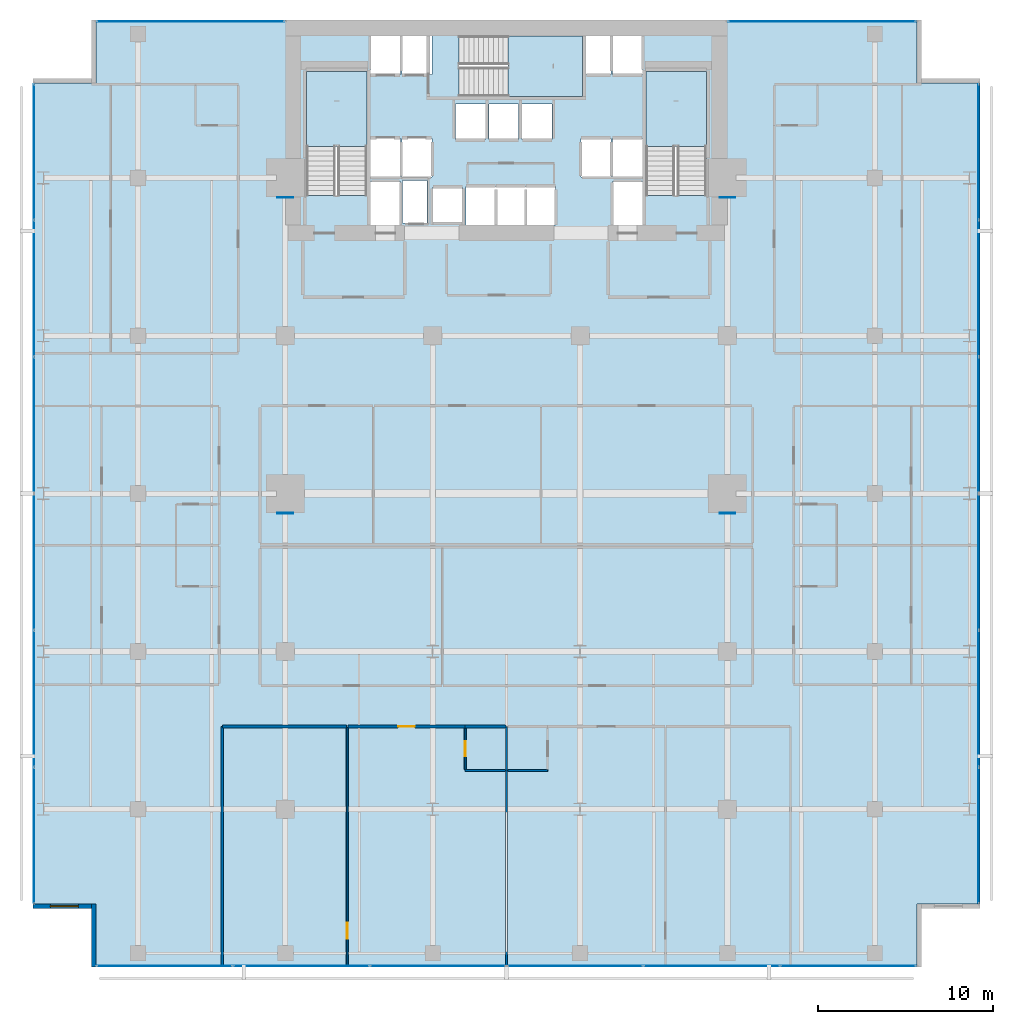
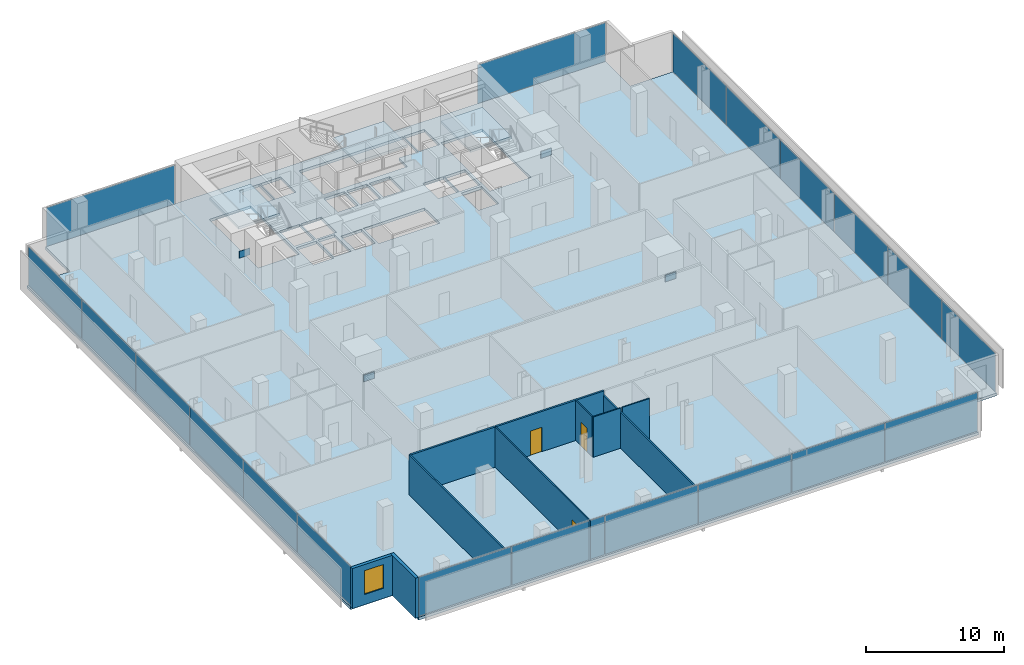
# One storey, part 32 of 39: 24 plates, 11 walls, 4 slabs, 3 doors, 1 window, 4 openings, 8 elements without a shape of their own.
"""IFC4 building model written with IfcOpenShell, lengths in metres."""

from ifc_helpers import new_model, si_unit, direction, frame, frame_2d, origin, origin_2d, place, context, subcontext, project, spatial, polyline, rectangle, outline, extrude, material, layer, layer_set, type_object, element, fill, aggregate, save


model = new_model("IFC4")

# Units and contexts
model_context = context("Model", 3, precision=1e-05, world=origin(), true_north=direction((0.0, 1.0)))
body_context = subcontext(model_context, "Body", "Model", "MODEL_VIEW")
ifc_project = project(units=[si_unit("LENGTHUNIT", "METRE"), si_unit("AREAUNIT", "SQUARE_METRE"), si_unit("VOLUMEUNIT", "CUBIC_METRE"), si_unit("PLANEANGLEUNIT", "RADIAN"), si_unit("MASSUNIT", "GRAM", prefix="KILO")], contexts=[model_context])

# Site, building, storey
site_placement = place(None, origin())
site = spatial("IfcSite", under=ifc_project, at=site_placement, CompositionType="ELEMENT")
building_placement = place(site_placement, origin())
building = spatial("IfcBuilding", under=site, at=building_placement, Name="Maruvema Waterfront Hotel and Observation Tower", CompositionType="ELEMENT")
storey_placement = place(building_placement, frame((0.0, 0.0, 111.64990234375)))
storey = spatial("IfcBuildingStorey", under=building, at=storey_placement, Name="L27", CompositionType="ELEMENT", Elevation=111.64990234375)

# Slab
ifc_material_1 = material(Name="Concrete C50/60", Category="concrete")
ifc_layer_1 = layer(ifc_material_1, 0.239990234375, Name="Reinforced Concrete Floor Slab 240 mm")
ifc_layer_set_1 = layer_set([ifc_layer_1], Name="Concrete C50/60")
slab_type_1 = type_object("IfcSlabType", Name="Reinforced Concrete Floor Slab 240 mm", PredefinedType="FLOOR", material=ifc_layer_set_1)
slab_1_placement = place(storey_placement, frame((0.0, 0.0, -0.239990234375)))
element("IfcSlab", 1, at=slab_1_placement, inside=storey, type_object=slab_type_1, Name="L27 Structural Floor Slab", PredefinedType="FLOOR", context=body_context, shape_type="SweptSolid", body=[
    extrude(outline(polyline([(14.39990234375, 0.0), (61.199951171875, 0.0), (61.199951171875, 3.60009765625), (64.800048828125, 3.60009765625), (64.800048828125, 50.39990234375), (61.199951171875, 50.39990234375), (61.199951171875, 54.0), (14.39990234375, 54.0), (14.39990234375, 50.39990234375), (10.800048828125, 50.39990234375), (10.800048828125, 3.60009765625), (14.39990234375, 3.60009765625), (14.39990234375, 0.0)]), holes=[polyline([(26.39990234375, 44.00048828125), (26.39990234375, 51.050048828125), (29.85009765625, 51.050048828125), (29.85009765625, 44.00048828125), (26.39990234375, 44.00048828125)]), polyline([(30.050048828125, 44.800048828125), (31.75, 44.800048828125), (31.75, 42.320068359375), (30.050048828125, 42.320068359375), (30.050048828125, 44.800048828125)]), polyline([(31.75, 47.25), (31.75, 45.050048828125), (30.050048828125, 45.050048828125), (30.050048828125, 47.25), (31.75, 47.25)]), polyline([(31.75, 53.10009765625), (31.75, 50.89990234375), (30.050048828125, 50.89990234375), (30.050048828125, 53.10009765625), (31.75, 53.10009765625)]), polyline([(33.280029296875, 44.860107421875), (33.280029296875, 42.43994140625), (31.8798828125, 42.43994140625), (31.8798828125, 44.860107421875), (33.280029296875, 44.860107421875)]), polyline([(31.85009765625, 47.25), (33.550048828125, 47.25), (33.550048828125, 45.050048828125), (31.85009765625, 45.050048828125), (31.85009765625, 47.25)]), polyline([(31.85009765625, 53.10009765625), (33.550048828125, 53.10009765625), (33.550048828125, 50.89990234375), (31.85009765625, 50.89990234375), (31.85009765625, 53.10009765625)]), polyline([(33.60009765625, 44.449951171875), (35.300048828125, 44.449951171875), (35.300048828125, 42.449951171875), (33.60009765625, 42.449951171875), (33.60009765625, 44.449951171875)]), polyline([(34.89990234375, 49.199951171875), (36.60009765625, 49.199951171875), (36.60009765625, 47.199951171875), (34.89990234375, 47.199951171875), (34.89990234375, 49.199951171875)]), polyline([(38.5, 49.199951171875), (38.5, 47.199951171875), (36.800048828125, 47.199951171875), (36.800048828125, 49.199951171875), (38.5, 49.199951171875)]), polyline([(35.5, 44.5), (40.60009765625, 44.5), (40.60009765625, 42.300048828125), (35.5, 42.300048828125), (35.5, 44.5)]), polyline([(43.75, 50.89990234375), (42.14990234375, 50.89990234375), (42.14990234375, 49.64990234375), (35.1005859375, 49.64990234375), (35.1005859375, 53.10009765625), (43.75, 53.10009765625), (43.75, 50.89990234375)]), polyline([(40.39990234375, 49.199951171875), (40.39990234375, 47.199951171875), (38.699951171875, 47.199951171875), (38.699951171875, 49.199951171875), (40.39990234375, 49.199951171875)]), polyline([(43.75, 47.25), (43.75, 45.050048828125), (42.050048828125, 45.050048828125), (42.050048828125, 47.25), (43.75, 47.25)]), polyline([(45.550048828125, 44.800048828125), (45.550048828125, 42.320068359375), (43.85009765625, 42.320068359375), (43.85009765625, 44.800048828125), (45.550048828125, 44.800048828125)]), polyline([(43.85009765625, 47.25), (45.550048828125, 47.25), (45.550048828125, 45.050048828125), (43.85009765625, 45.050048828125), (43.85009765625, 47.25)]), polyline([(45.550048828125, 53.10009765625), (45.550048828125, 50.89990234375), (43.85009765625, 50.89990234375), (43.85009765625, 53.10009765625), (45.550048828125, 53.10009765625)]), polyline([(45.75, 51.050048828125), (49.199951171875, 51.050048828125), (49.199951171875, 44.00048828125), (45.75, 44.00048828125), (45.75, 51.050048828125)])]), origin(), (0.0, 0.0, 1.0), 0.239990234375),
])

# Curtain wall, plates
ifc_material_2 = material(Name="Anodised bronze aluminium and solar-control low-E IGU", Category="aluminium")
ifc_layer_2 = layer(ifc_material_2, 0.159912109375, Name="Zone 1 Bronze Inner Thermal Curtain Wall System CW-02")
ifc_layer_set_2 = layer_set([ifc_layer_2], Name="Anodised bronze aluminium and solar-control low-E IGU")
curtain_wall_type = type_object("IfcCurtainWallType", Name="Zone 1 Bronze Inner Thermal Curtain Wall System CW-02", PredefinedType="USERDEFINED", material=ifc_layer_set_2)
curtain_wall_1_placement = place(storey_placement, origin())
curtain_wall_1 = element("IfcCurtainWall", 2, at=curtain_wall_1_placement, inside=storey, type_object=curtain_wall_type, Name="L27 Curtain Wall CW-L27-S", ObjectType="UNITISED CURTAIN WALL", PredefinedType="USERDEFINED")
ifc_material_3 = material(Name="Laminated low-E solar-control double glazing", Category="glass")
ifc_layer_3 = layer(ifc_material_3, 0.035888671875, Name="Solar Control Double-Glazed Curtain Panel 36 mm")
ifc_layer_set_3 = layer_set([ifc_layer_3], Name="Laminated low-E solar-control double glazing")
plate_type_1 = type_object("IfcPlateType", Name="Solar Control Double-Glazed Curtain Panel 36 mm", PredefinedType="CURTAIN_PANEL", material=ifc_layer_set_3)
plate_1_placement = place(storey_placement, frame((18.31494140625, 0.080078125, 0.06005859375), z_axis=(0.0, 0.0, 1.0), x_axis=(1.0, 0.0, 0.0)))
plate_1 = element("IfcPlate", 3, at=plate_1_placement, type_object=plate_type_1, Name="CW-02 panel 1.1", PredefinedType="CURTAIN_PANEL", context=body_context, shape_type="SweptSolid", body=[
    extrude(rectangle(XDim=7.7099609375, YDim=0.028076171875, at=origin_2d()), origin(), (0.0, 0.0, 1.0), 3.429931640625),
])
plate_2_placement = place(storey_placement, frame((26.10009765625, 0.080078125, 0.06005859375), z_axis=(0.0, 0.0, 1.0), x_axis=(1.0, 0.0, 0.0)))
plate_2 = element("IfcPlate", 4, at=plate_2_placement, type_object=plate_type_1, Name="CW-02 panel 2.1", PredefinedType="CURTAIN_PANEL", context=body_context, shape_type="SweptSolid", body=[
    extrude(rectangle(XDim=7.739990234375, YDim=0.028076171875, at=origin_2d()), origin(), (0.0, 0.0, 1.0), 3.429931640625),
])
plate_3_placement = place(storey_placement, frame((33.89990234375, 0.080078125, 0.06005859375), z_axis=(0.0, 0.0, 1.0), x_axis=(1.0, 0.0, 0.0)))
plate_3 = element("IfcPlate", 5, at=plate_3_placement, type_object=plate_type_1, Name="CW-02 panel 3.1", PredefinedType="CURTAIN_PANEL", context=body_context, shape_type="SweptSolid", body=[
    extrude(rectangle(XDim=7.739990234375, YDim=0.028076171875, at=origin_2d()), origin(), (0.0, 0.0, 1.0), 3.429931640625),
])
plate_4_placement = place(storey_placement, frame((41.699951171875, 0.080078125, 0.06005859375), z_axis=(0.0, 0.0, 1.0), x_axis=(1.0, 0.0, 0.0)))
plate_4 = element("IfcPlate", 6, at=plate_4_placement, type_object=plate_type_1, Name="CW-02 panel 4.1", PredefinedType="CURTAIN_PANEL", context=body_context, shape_type="SweptSolid", body=[
    extrude(rectangle(XDim=7.739990234375, YDim=0.028076171875, at=origin_2d()), origin(), (0.0, 0.0, 1.0), 3.429931640625),
])
plate_5_placement = place(storey_placement, frame((49.5, 0.080078125, 0.06005859375), z_axis=(0.0, 0.0, 1.0), x_axis=(1.0, 0.0, 0.0)))
plate_5 = element("IfcPlate", 7, at=plate_5_placement, type_object=plate_type_1, Name="CW-02 panel 5.1", PredefinedType="CURTAIN_PANEL", context=body_context, shape_type="SweptSolid", body=[
    extrude(rectangle(XDim=7.739990234375, YDim=0.028076171875, at=origin_2d()), origin(), (0.0, 0.0, 1.0), 3.429931640625),
])
plate_6_placement = place(storey_placement, frame((57.284912109375, 0.080078125, 0.06005859375), z_axis=(0.0, 0.0, 1.0), x_axis=(1.0, 0.0, 0.0)))
plate_6 = element("IfcPlate", 8, at=plate_6_placement, type_object=plate_type_1, Name="CW-02 panel 6.1", PredefinedType="CURTAIN_PANEL", context=body_context, shape_type="SweptSolid", body=[
    extrude(rectangle(XDim=7.7099609375, YDim=0.028076171875, at=origin_2d()), origin(), (0.0, 0.0, 1.0), 3.429931640625),
])
aggregate(curtain_wall_1, [plate_1, plate_2, plate_3, plate_4, plate_5, plate_6])

curtain_wall_2_placement = place(storey_placement, origin())
curtain_wall_2 = element("IfcCurtainWall", 9, at=curtain_wall_2_placement, inside=storey, type_object=curtain_wall_type, Name="L27 Curtain Wall CW-L27-E", ObjectType="UNITISED CURTAIN WALL", PredefinedType="USERDEFINED")
plate_7_placement = place(storey_placement, frame((64.719970703125, 7.514892578125, 0.06005859375), z_axis=(0.0, 0.0, 1.0), x_axis=(0.0, 1.0, 0.0)))
plate_7 = element("IfcPlate", 10, at=plate_7_placement, type_object=plate_type_1, Name="CW-02 panel 1.1", PredefinedType="CURTAIN_PANEL", context=body_context, shape_type="SweptSolid", body=[
    extrude(rectangle(XDim=7.7099609375, YDim=0.028076171875, at=origin_2d()), origin(), (0.0, 0.0, 1.0), 3.429931640625),
])
plate_8_placement = place(storey_placement, frame((64.719970703125, 15.300048828125, 0.06005859375), z_axis=(0.0, 0.0, 1.0), x_axis=(0.0, 1.0, 0.0)))
plate_8 = element("IfcPlate", 11, at=plate_8_placement, type_object=plate_type_1, Name="CW-02 panel 2.1", PredefinedType="CURTAIN_PANEL", context=body_context, shape_type="SweptSolid", body=[
    extrude(rectangle(XDim=7.739990234375, YDim=0.028076171875, at=origin_2d()), origin(), (0.0, 0.0, 1.0), 3.429931640625),
])
plate_9_placement = place(storey_placement, frame((64.719970703125, 23.10009765625, 0.06005859375), z_axis=(0.0, 0.0, 1.0), x_axis=(0.0, 1.0, 0.0)))
plate_9 = element("IfcPlate", 12, at=plate_9_placement, type_object=plate_type_1, Name="CW-02 panel 3.1", PredefinedType="CURTAIN_PANEL", context=body_context, shape_type="SweptSolid", body=[
    extrude(rectangle(XDim=7.739990234375, YDim=0.028076171875, at=origin_2d()), origin(), (0.0, 0.0, 1.0), 3.429931640625),
])
plate_10_placement = place(storey_placement, frame((64.719970703125, 30.89990234375, 0.06005859375), z_axis=(0.0, 0.0, 1.0), x_axis=(0.0, 1.0, 0.0)))
plate_10 = element("IfcPlate", 13, at=plate_10_placement, type_object=plate_type_1, Name="CW-02 panel 4.1", PredefinedType="CURTAIN_PANEL", context=body_context, shape_type="SweptSolid", body=[
    extrude(rectangle(XDim=7.739990234375, YDim=0.028076171875, at=origin_2d()), origin(), (0.0, 0.0, 1.0), 3.429931640625),
])
plate_11_placement = place(storey_placement, frame((64.719970703125, 38.699951171875, 0.06005859375), z_axis=(0.0, 0.0, 1.0), x_axis=(0.0, 1.0, 0.0)))
plate_11 = element("IfcPlate", 14, at=plate_11_placement, type_object=plate_type_1, Name="CW-02 panel 5.1", PredefinedType="CURTAIN_PANEL", context=body_context, shape_type="SweptSolid", body=[
    extrude(rectangle(XDim=7.739990234375, YDim=0.028076171875, at=origin_2d()), origin(), (0.0, 0.0, 1.0), 3.429931640625),
])
plate_12_placement = place(storey_placement, frame((64.719970703125, 46.485107421875, 0.06005859375), z_axis=(0.0, 0.0, 1.0), x_axis=(0.0, 1.0, 0.0)))
plate_12 = element("IfcPlate", 15, at=plate_12_placement, type_object=plate_type_1, Name="CW-02 panel 6.1", PredefinedType="CURTAIN_PANEL", context=body_context, shape_type="SweptSolid", body=[
    extrude(rectangle(XDim=7.7099609375, YDim=0.028076171875, at=origin_2d()), origin(), (0.0, 0.0, 1.0), 3.429931640625),
])
aggregate(curtain_wall_2, [plate_7, plate_8, plate_9, plate_10, plate_11, plate_12])

curtain_wall_3_placement = place(storey_placement, origin())
curtain_wall_3 = element("IfcCurtainWall", 16, at=curtain_wall_3_placement, inside=storey, type_object=curtain_wall_type, Name="L27 Curtain Wall CW-L27-W", ObjectType="UNITISED CURTAIN WALL", PredefinedType="USERDEFINED")
plate_13_placement = place(storey_placement, frame((10.8798828125, 46.485107421875, 0.06005859375), z_axis=(0.0, 0.0, 1.0), x_axis=(0.0, -1.0, 0.0)))
plate_13 = element("IfcPlate", 17, at=plate_13_placement, type_object=plate_type_1, Name="CW-02 panel 1.1", PredefinedType="CURTAIN_PANEL", context=body_context, shape_type="SweptSolid", body=[
    extrude(rectangle(XDim=7.7099609375, YDim=0.028076171875, at=origin_2d()), origin(), (0.0, 0.0, 1.0), 3.429931640625),
])
plate_14_placement = place(storey_placement, frame((10.8798828125, 38.699951171875, 0.06005859375), z_axis=(0.0, 0.0, 1.0), x_axis=(0.0, -1.0, 0.0)))
plate_14 = element("IfcPlate", 18, at=plate_14_placement, type_object=plate_type_1, Name="CW-02 panel 2.1", PredefinedType="CURTAIN_PANEL", context=body_context, shape_type="SweptSolid", body=[
    extrude(rectangle(XDim=7.739990234375, YDim=0.028076171875, at=origin_2d()), origin(), (0.0, 0.0, 1.0), 3.429931640625),
])
plate_15_placement = place(storey_placement, frame((10.8798828125, 30.89990234375, 0.06005859375), z_axis=(0.0, 0.0, 1.0), x_axis=(0.0, -1.0, 0.0)))
plate_15 = element("IfcPlate", 19, at=plate_15_placement, type_object=plate_type_1, Name="CW-02 panel 3.1", PredefinedType="CURTAIN_PANEL", context=body_context, shape_type="SweptSolid", body=[
    extrude(rectangle(XDim=7.739990234375, YDim=0.028076171875, at=origin_2d()), origin(), (0.0, 0.0, 1.0), 3.429931640625),
])
plate_16_placement = place(storey_placement, frame((10.8798828125, 23.10009765625, 0.06005859375), z_axis=(0.0, 0.0, 1.0), x_axis=(0.0, -1.0, 0.0)))
plate_16 = element("IfcPlate", 20, at=plate_16_placement, type_object=plate_type_1, Name="CW-02 panel 4.1", PredefinedType="CURTAIN_PANEL", context=body_context, shape_type="SweptSolid", body=[
    extrude(rectangle(XDim=7.739990234375, YDim=0.028076171875, at=origin_2d()), origin(), (0.0, 0.0, 1.0), 3.429931640625),
])
plate_17_placement = place(storey_placement, frame((10.8798828125, 15.300048828125, 0.06005859375), z_axis=(0.0, 0.0, 1.0), x_axis=(0.0, -1.0, 0.0)))
plate_17 = element("IfcPlate", 21, at=plate_17_placement, type_object=plate_type_1, Name="CW-02 panel 5.1", PredefinedType="CURTAIN_PANEL", context=body_context, shape_type="SweptSolid", body=[
    extrude(rectangle(XDim=7.739990234375, YDim=0.028076171875, at=origin_2d()), origin(), (0.0, 0.0, 1.0), 3.429931640625),
])
plate_18_placement = place(storey_placement, frame((10.8798828125, 7.514892578125, 0.06005859375), z_axis=(0.0, 0.0, 1.0), x_axis=(0.0, -1.0, 0.0)))
plate_18 = element("IfcPlate", 22, at=plate_18_placement, type_object=plate_type_1, Name="CW-02 panel 6.1", PredefinedType="CURTAIN_PANEL", context=body_context, shape_type="SweptSolid", body=[
    extrude(rectangle(XDim=7.7099609375, YDim=0.028076171875, at=origin_2d()), origin(), (0.0, 0.0, 1.0), 3.429931640625),
])
aggregate(curtain_wall_3, [plate_13, plate_14, plate_15, plate_16, plate_17, plate_18])

# Curtain wall, plate
curtain_wall_4_placement = place(storey_placement, origin())
curtain_wall_4 = element("IfcCurtainWall", 23, at=curtain_wall_4_placement, inside=storey, type_object=curtain_wall_type, Name="L27 Curtain Wall CW-L27-NW", ObjectType="UNITISED CURTAIN WALL", PredefinedType="USERDEFINED")
plate_19_placement = place(storey_placement, frame((19.800048828125, 53.919921875, 0.06005859375), z_axis=(0.0, 0.0, 1.0), x_axis=(-1.0, 0.0, 0.0)))
plate_19 = element("IfcPlate", 24, at=plate_19_placement, type_object=plate_type_1, Name="CW-02 panel 1.1", PredefinedType="CURTAIN_PANEL", context=body_context, shape_type="SweptSolid", body=[
    extrude(rectangle(XDim=10.679931640625, YDim=0.028076171875, at=origin_2d()), origin(), (0.0, 0.0, 1.0), 3.429931640625),
])
aggregate(curtain_wall_4, [plate_19])

curtain_wall_5_placement = place(storey_placement, origin())
curtain_wall_5 = element("IfcCurtainWall", 25, at=curtain_wall_5_placement, inside=storey, type_object=curtain_wall_type, Name="L27 Curtain Wall CW-L27-NE", ObjectType="UNITISED CURTAIN WALL", PredefinedType="USERDEFINED")
plate_20_placement = place(storey_placement, frame((55.800048828125, 53.919921875, 0.06005859375), z_axis=(0.0, 0.0, 1.0), x_axis=(-1.0, 0.0, 0.0)))
plate_20 = element("IfcPlate", 26, at=plate_20_placement, type_object=plate_type_1, Name="CW-02 panel 1.1", PredefinedType="CURTAIN_PANEL", context=body_context, shape_type="SweptSolid", body=[
    extrude(rectangle(XDim=10.679931640625, YDim=0.028076171875, at=origin_2d()), origin(), (0.0, 0.0, 1.0), 3.429931640625),
])
aggregate(curtain_wall_5, [plate_20])

# Stair, slab
ifc_material_4 = material(Name="Concrete C50/60", Category="concrete")
stair_type = type_object("IfcStairType", Name="Dogleg Exit Stair 1650 mm (22R x 175.0 mm)", PredefinedType="HALF_TURN_STAIR", material=ifc_material_4)
stair_1_placement = place(storey_placement, origin())
stair_1 = element("IfcStair", 27, at=stair_1_placement, inside=storey, type_object=stair_type, Name="L27 ST-01", PredefinedType="HALF_TURN_STAIR")
ifc_material_5 = material(Name="Concrete C50/60", Category="concrete")
ifc_layer_4 = layer(ifc_material_5, 0.219970703125, Name="Stair Concrete Landing Slab 220 mm")
ifc_layer_set_4 = layer_set([ifc_layer_4], Name="Concrete C50/60")
slab_type_2 = type_object("IfcSlabType", Name="Stair Concrete Landing Slab 220 mm", PredefinedType="LANDING", material=ifc_layer_set_4)
slab_2_placement = place(storey_placement, frame((0.0, 0.0, 1.705078125)))
slab_2 = element("IfcSlab", 28, at=slab_2_placement, type_object=slab_type_2, Name="ST-01 landing 1", PredefinedType="LANDING", context=body_context, shape_type="SweptSolid", body=[
    extrude(outline(polyline([(29.85009765625, 46.800048828125), (29.85009765625, 51.050048828125), (26.39990234375, 51.050048828125), (26.39990234375, 46.800048828125), (29.85009765625, 46.800048828125)])), origin(), (0.0, 0.0, 1.0), 0.219970703125),
])
aggregate(stair_1, [slab_2])

stair_2_placement = place(storey_placement, origin())
stair_2 = element("IfcStair", 29, at=stair_2_placement, inside=storey, type_object=stair_type, Name="L27 ST-02", PredefinedType="HALF_TURN_STAIR")
slab_3_placement = place(storey_placement, frame((0.0, 0.0, 1.705078125)))
slab_3 = element("IfcSlab", 30, at=slab_3_placement, type_object=slab_type_2, Name="ST-02 landing 1", PredefinedType="LANDING", context=body_context, shape_type="SweptSolid", body=[
    extrude(outline(polyline([(37.89990234375, 49.64990234375), (42.14990234375, 49.64990234375), (42.14990234375, 53.10009765625), (37.89990234375, 53.10009765625), (37.89990234375, 49.64990234375)])), origin(), (0.0, 0.0, 1.0), 0.219970703125),
])
aggregate(stair_2, [slab_3])

stair_3_placement = place(storey_placement, origin())
stair_3 = element("IfcStair", 31, at=stair_3_placement, inside=storey, type_object=stair_type, Name="L27 ST-03", PredefinedType="HALF_TURN_STAIR")
slab_4_placement = place(storey_placement, frame((0.0, 0.0, 1.705078125)))
slab_4 = element("IfcSlab", 32, at=slab_4_placement, type_object=slab_type_2, Name="ST-03 landing 1", PredefinedType="LANDING", context=body_context, shape_type="SweptSolid", body=[
    extrude(outline(polyline([(49.199951171875, 46.800048828125), (49.199951171875, 51.050048828125), (45.75, 51.050048828125), (45.75, 46.800048828125), (49.199951171875, 46.800048828125)])), origin(), (0.0, 0.0, 1.0), 0.219970703125),
])
aggregate(stair_3, [slab_4])

# Plates
ifc_material_6 = material(Name="Steel ABNT NBR 7007 AR 415 (ASTM A572 Grade 50)", Category="steel")
ifc_layer_5 = layer(ifc_material_6, 0.0400390625, Name="Structural Truss Node Gusset Plate 40 mm")
ifc_layer_set_5 = layer_set([ifc_layer_5], Name="Steel ABNT NBR 7007 AR 415 (ASTM A572 Grade 50)")
plate_type_2 = type_object("IfcPlateType", Name="Structural Truss Node Gusset Plate 40 mm", PredefinedType="USERDEFINED", material=ifc_layer_set_5)
for number, where, z_axis, x_axis, name in (
    (33, (25.199951171875, 25.8798828125, 1.5), (0.0, 0.0, 1.0), (1.0, 0.0, 0.0), "L27 MC-01 Moment Frame Continuity Gusset Plate"),
    (34, (50.39990234375, 25.8798828125, 1.5), (0.0, 0.0, 1.0), (1.0, 0.0, 0.0), "L27 MC-02 Moment Frame Continuity Gusset Plate"),
    (35, (25.199951171875, 43.8798828125, 1.5), (0.0, 0.0, 1.0), (1.0, 0.0, 0.0), "L27 MC-03 Moment Frame Continuity Gusset Plate"),
    (36, (50.39990234375, 43.8798828125, 1.5), (0.0, 0.0, 1.0), (1.0, 0.0, 0.0), "L27 MC-04 Moment Frame Continuity Gusset Plate"),
):
    element("IfcPlate", number, at=place(storey_placement, frame(where, z_axis=z_axis, x_axis=x_axis)), inside=storey, type_object=plate_type_2, Name=name, ObjectType="GUSSET_PLATE", PredefinedType="USERDEFINED", context=body_context, shape_type="SweptSolid", body=[
        extrude(rectangle(XDim=0.89990234375, YDim=0.0400390625, at=origin_2d()), origin(), (0.0, 0.0, 1.0), 0.60009765625),
    ])

# Walls
ifc_material_7 = material(Name="Twin-stud acoustic gypsum drywall", Category="gypsum")
ifc_layer_6 = layer(ifc_material_7, 0.14990234375, Name="Acoustic Corridor and Suite Demising Wall 150 mm")
ifc_layer_set_6 = layer_set([ifc_layer_6], Name="Twin-stud acoustic gypsum drywall")
wall_type_1 = type_object("IfcWallType", Name="Acoustic Corridor and Suite Demising Wall 150 mm", PredefinedType="PARTITIONING", material=ifc_layer_set_6)
wall_1_placement = place(storey_placement, frame((35.449951171875, 13.719970703125, 0.0), z_axis=(0.0, 0.0, 1.0), x_axis=(1.0, 0.0, 0.0)))
element("IfcWall", 37, at=wall_1_placement, inside=storey, type_object=wall_type_1, Name="L27 Bath L27-S1 Back Wall 032", PredefinedType="PARTITIONING", context=body_context, shape_type="SweptSolid", body=[
    extrude(rectangle(XDim=2.330078125, YDim=0.14990234375, at=frame_2d((1.1650390625, 0.0))), origin(), (0.0, 0.0, 1.0), 3.550048828125),
])
wall_2_placement = place(storey_placement, frame((21.6201171875, 13.719970703125, 0.0), z_axis=(0.0, 0.0, 1.0), x_axis=(1.0, 0.0, 0.0)))
element("IfcWall", 38, at=wall_2_placement, inside=storey, type_object=wall_type_1, Name="L27 Bedroom L27-S1 Back Wall 035", PredefinedType="PARTITIONING", context=body_context, shape_type="SweptSolid", body=[
    extrude(rectangle(XDim=7.06787109375, YDim=0.14990234375, at=frame_2d((3.533935546875, 0.0))), origin(), (0.0, 0.0, 1.0), 3.550048828125),
])

# Wall, opening, door
wall_3_placement = place(storey_placement, frame((28.76806640625, 13.719970703125, 0.0), z_axis=(0.0, 0.0, 1.0), x_axis=(1.0, 0.0, 0.0)))
wall_3 = element("IfcWall", 39, at=wall_3_placement, inside=storey, type_object=wall_type_1, Name="L27 Unit L27-S1 Corridor Wall 036", PredefinedType="PARTITIONING", context=body_context, shape_type="SweptSolid", body=[
    extrude(rectangle(XDim=6.681884765625, YDim=0.14990234375, at=frame_2d((3.3408203125, 0.0))), origin(), (0.0, 0.0, 1.0), 3.550048828125),
])
opening_1_placement = place(wall_3_placement, frame((2.865966796875, 0.0, 0.0)))
opening_1 = element("IfcOpeningElement", 40, at=opening_1_placement, cuts=wall_3, Name="Opening DR-095", PredefinedType="OPENING", context=body_context, shape_type="SweptSolid", body=[
    extrude(rectangle(XDim=0.949951171875, YDim=2.14990234375, at=frame_2d((0.47509765625, 1.074951171875))), frame((0.0, 0.0849609375, 0.0), z_axis=(0.0, -1.0, 0.0), x_axis=(1.0, 0.0, 0.0)), (0.0, 0.0, 1.0), 0.169921875),
])
ifc_material_8 = material(Name="Acoustic solid-core hardwood timber leaf", Category="wood")
door_type_1 = type_object("IfcDoorType", Name="Guestroom Entrance Fire Door 950x2150 mm", OperationType="NOTDEFINED", PredefinedType="DOOR", material=ifc_material_8)
door_1_placement = place(opening_1_placement, frame((0.949951171875, 0.0, 0.0), z_axis=(0.0, 0.0, 1.0), x_axis=(-1.0, 0.0, 0.0)))
door_1 = element("IfcDoor", 41, at=door_1_placement, inside=storey, type_object=door_type_1, Name="L27 Unit L27-S1 Entrance Door", OperationType="SINGLE_SWING_LEFT", OverallHeight=2.14990234375, OverallWidth=0.949951171875, PredefinedType="DOOR", context=body_context, shape_type="SweptSolid", body=[
    extrude(rectangle(XDim=0.949951171875, YDim=2.14990234375, at=frame_2d((0.47509765625, 1.074951171875))), frame((0.0, 0.02490234375, 0.0), z_axis=(0.0, -1.0, 0.0), x_axis=(1.0, 0.0, 0.0)), (0.0, 0.0, 1.0), 0.050048828125),
])
fill(opening_1, door_1)

# Wall
ifc_material_9 = material(Name="Moisture-resistant cement-board drywall", Category="gypsum")
ifc_layer_7 = layer(ifc_material_9, 0.10009765625, Name="En-Suite Moisture-Resistant Partition 100 mm")
ifc_layer_set_7 = layer_set([ifc_layer_7], Name="Moisture-resistant cement-board drywall")
wall_type_2 = type_object("IfcWallType", Name="En-Suite Moisture-Resistant Partition 100 mm", PredefinedType="PARTITIONING", material=ifc_layer_set_7)
wall_4_placement = place(storey_placement, frame((35.449951171875, 11.219970703125, 0.0), z_axis=(0.0, 0.0, 1.0), x_axis=(1.0, 0.0, 0.0)))
element("IfcWall", 42, at=wall_4_placement, inside=storey, type_object=wall_type_2, Name="L27 En-Suite L27-S1 South 033", PredefinedType="PARTITIONING", context=body_context, shape_type="SweptSolid", body=[
    extrude(rectangle(XDim=2.31005859375, YDim=0.10009765625, at=frame_2d((1.155029296875, 0.0))), origin(), (0.0, 0.0, 1.0), 3.550048828125),
])

# Wall, opening, door
wall_5_placement = place(storey_placement, frame((35.449951171875, 11.280029296875, 0.0), z_axis=(0.0, 0.0, 1.0), x_axis=(0.0, 1.0, 0.0)))
wall_5 = element("IfcWall", 43, at=wall_5_placement, inside=storey, type_object=wall_type_2, Name="L27 En-Suite L27-S1 West 034", PredefinedType="PARTITIONING", context=body_context, shape_type="SweptSolid", body=[
    extrude(rectangle(XDim=2.340087890625, YDim=0.10009765625, at=frame_2d((1.169921875, 0.0))), origin(), (0.0, 0.0, 1.0), 3.550048828125),
])
opening_2_placement = place(wall_5_placement, frame((0.7451171875, 0.0, 0.0)))
opening_2 = element("IfcOpeningElement", 44, at=opening_2_placement, cuts=wall_5, Name="Opening DR-085", PredefinedType="OPENING", context=body_context, shape_type="SweptSolid", body=[
    extrude(rectangle(XDim=0.85009765625, YDim=2.10009765625, at=frame_2d((0.425048828125, 1.050048828125))), frame((0.0, 0.06005859375, 0.0), z_axis=(0.0, -1.0, 0.0), x_axis=(1.0, 0.0, 0.0)), (0.0, 0.0, 1.0), 0.1201171875),
])
ifc_material_10 = material(Name="Moisture-resistant solid timber leaf", Category="wood")
door_type_2 = type_object("IfcDoorType", Name="En-Suite Bathroom Door 850x2100 mm", OperationType="NOTDEFINED", PredefinedType="DOOR", material=ifc_material_10)
door_2_placement = place(opening_2_placement, origin())
door_2 = element("IfcDoor", 45, at=door_2_placement, inside=storey, type_object=door_type_2, Name="L27 En-Suite L27-S1 Door", OperationType="SINGLE_SWING_RIGHT", OverallHeight=2.10009765625, OverallWidth=0.85009765625, PredefinedType="DOOR", context=body_context, shape_type="SweptSolid", body=[
    extrude(rectangle(XDim=0.85009765625, YDim=2.10009765625, at=frame_2d((0.425048828125, 1.050048828125))), frame((0.0, 0.02490234375, 0.0), z_axis=(0.0, -1.0, 0.0), x_axis=(1.0, 0.0, 0.0)), (0.0, 0.0, 1.0), 0.050048828125),
])
fill(opening_2, door_2)

wall_6_placement = place(storey_placement, frame((28.72802734375, 0.030029296875, 0.0), z_axis=(0.0, 0.0, 1.0), x_axis=(0.0, 1.0, 0.0)))
wall_6 = element("IfcWall", 46, at=wall_6_placement, inside=storey, type_object=wall_type_2, Name="L27 Suite L27-S1 Split 037", PredefinedType="PARTITIONING", context=body_context, shape_type="SweptSolid", body=[
    extrude(rectangle(XDim=13.6298828125, YDim=0.10009765625, at=frame_2d((6.81494140625, 0.0))), origin(), (0.0, 0.0, 1.0), 3.550048828125),
])
opening_3_placement = place(wall_6_placement, frame((1.60009765625, 0.0, 0.0)))
opening_3 = element("IfcOpeningElement", 47, at=opening_3_placement, cuts=wall_6, Name="Opening DR-090", PredefinedType="OPENING", context=body_context, shape_type="SweptSolid", body=[
    extrude(rectangle(XDim=0.89990234375, YDim=2.10009765625, at=frame_2d((0.449951171875, 1.050048828125))), frame((0.0, 0.06005859375, 0.0), z_axis=(0.0, -1.0, 0.0), x_axis=(1.0, 0.0, 0.0)), (0.0, 0.0, 1.0), 0.1201171875),
])
ifc_material_11 = material(Name="Solid-core lacquered timber leaf", Category="wood")
door_type_3 = type_object("IfcDoorType", Name="Accessible Toilet and Room Door 900x2100 mm", OperationType="NOTDEFINED", PredefinedType="DOOR", material=ifc_material_11)
door_3_placement = place(opening_3_placement, frame((0.89990234375, 0.0, 0.0), z_axis=(0.0, 0.0, 1.0), x_axis=(-1.0, 0.0, 0.0)))
door_3 = element("IfcDoor", 48, at=door_3_placement, inside=storey, type_object=door_type_3, Name="L27 Suite L27-S1 Bedroom Door", OperationType="SINGLE_SWING_RIGHT", OverallHeight=2.10009765625, OverallWidth=0.89990234375, PredefinedType="DOOR", context=body_context, shape_type="SweptSolid", body=[
    extrude(rectangle(XDim=0.89990234375, YDim=2.10009765625, at=frame_2d((0.449951171875, 1.050048828125))), frame((0.0, 0.02490234375, 0.0), z_axis=(0.0, -1.0, 0.0), x_axis=(1.0, 0.0, 0.0)), (0.0, 0.0, 1.0), 0.050048828125),
])
fill(opening_3, door_3)

# Walls
wall_7_placement = place(storey_placement, frame((37.8798828125, 11.219970703125, 0.0), z_axis=(0.0, 0.0, 1.0), x_axis=(1.0, 0.0, 0.0)))
element("IfcWall", 49, at=wall_7_placement, inside=storey, type_object=wall_type_2, Name="L27 En-Suite L27-S2 South 040", PredefinedType="PARTITIONING", context=body_context, shape_type="SweptSolid", body=[
    extrude(rectangle(XDim=2.27001953125, YDim=0.10009765625, at=frame_2d((1.135009765625, 0.0))), origin(), (0.0, 0.0, 1.0), 3.550048828125),
])
ifc_material_12 = material(Name="Precast concrete C45/55 with honed Pernambuco granite facing", Category="masonry")
ifc_layer_8 = layer(ifc_material_12, 0.260009765625, Name="Exterior Granite Clad Spandrel and Pier Wall 260 mm")
ifc_layer_set_8 = layer_set([ifc_layer_8], Name="Precast concrete C45/55 with honed Pernambuco granite facing")
wall_type_3 = type_object("IfcWallType", Name="Exterior Granite Clad Spandrel and Pier Wall 260 mm", PredefinedType="SOLIDWALL", material=ifc_layer_set_8)
wall_8_placement = place(storey_placement, frame((14.27001953125, 0.0, 0.0), z_axis=(0.0, 0.0, 1.0), x_axis=(0.0, 1.0, 0.0)))
element("IfcWall", 50, at=wall_8_placement, inside=storey, type_object=wall_type_3, Name="L27 Corner Notch Granite Pier Wall SW1", PredefinedType="SOLIDWALL", context=body_context, shape_type="SweptSolid", body=[
    extrude(rectangle(XDim=3.60009765625, YDim=0.260009765625, at=frame_2d((1.800048828125, 0.0))), origin(), (0.0, 0.0, 1.0), 3.550048828125),
])

# Wall, opening, window
wall_9_placement = place(storey_placement, frame((14.39990234375, 3.469970703125, 0.0), z_axis=(0.0, 0.0, 1.0), x_axis=(-1.0, 0.0, 0.0)))
wall_9 = element("IfcWall", 51, at=wall_9_placement, inside=storey, type_object=wall_type_3, Name="L27 Corner Notch Granite Pier Wall SW2", PredefinedType="SOLIDWALL", context=body_context, shape_type="SweptSolid", body=[
    extrude(rectangle(XDim=3.599853515625, YDim=0.260009765625, at=frame_2d((1.7998046875, 0.0))), origin(), (0.0, 0.0, 1.0), 3.550048828125),
])
opening_4_placement = place(wall_9_placement, frame((1.0, 0.0, 0.89990234375)))
opening_4 = element("IfcOpeningElement", 52, at=opening_4_placement, cuts=wall_9, Name="Opening WN-01", PredefinedType="OPENING", context=body_context, shape_type="SweptSolid", body=[
    extrude(rectangle(XDim=1.60009765625, YDim=2.10009765625, at=frame_2d((0.800048828125, 1.050048828125))), frame((0.0, 0.14013671875, 0.0), z_axis=(0.0, -1.0, 0.0), x_axis=(1.0, 0.0, 0.0)), (0.0, 0.0, 1.0), 0.280029296875),
])
ifc_material_13 = material(Name="Anodised bronze aluminium frame with laminated low-E glass", Category="aluminium")
window_type = type_object("IfcWindowType", Name="Corner Notch Feature Window 1600x2100 mm", PartitioningType="SINGLE_PANEL", PredefinedType="WINDOW", material=ifc_material_13)
window_placement = place(opening_4_placement, origin())
window = element("IfcWindow", 53, at=window_placement, inside=storey, type_object=window_type, Name="L27 Corner Notch Punched Window SW2", OverallHeight=2.10009765625, OverallWidth=1.60009765625, PartitioningType="SINGLE_PANEL", PredefinedType="WINDOW", context=body_context, shape_type="SweptSolid", body=[
    extrude(rectangle(XDim=1.60009765625, YDim=2.10009765625, at=frame_2d((0.800048828125, 1.050048828125))), frame((0.0, 0.030029296875, 0.0), z_axis=(0.0, -1.0, 0.0), x_axis=(1.0, 0.0, 0.0)), (0.0, 0.0, 1.0), 0.06005859375),
])
fill(opening_4, window)

# Walls
ifc_material_14 = material(Name="Acoustic gypsum plasterboard drywall", Category="gypsum")
ifc_layer_9 = layer(ifc_material_14, 0.125, Name="Guestroom Acoustic Demising Wall 125 mm")
ifc_layer_set_9 = layer_set([ifc_layer_9], Name="Acoustic gypsum plasterboard drywall")
wall_type_4 = type_object("IfcWallType", Name="Guestroom Acoustic Demising Wall 125 mm", PredefinedType="PARTITIONING", material=ifc_layer_set_9)
wall_10_placement = place(storey_placement, frame((21.60009765625, 0.10009765625, 0.0), z_axis=(0.0, 0.0, 1.0), x_axis=(0.0, 1.0, 0.0)))
element("IfcWall", 54, at=wall_10_placement, inside=storey, type_object=wall_type_4, Name="L27 S West End 030", PredefinedType="PARTITIONING", context=body_context, shape_type="SweptSolid", body=[
    extrude(rectangle(XDim=13.619873046875, YDim=0.125, at=frame_2d((6.81005859375, 0.0))), origin(), (0.0, 0.0, 1.0), 3.550048828125),
])
wall_11_placement = place(storey_placement, frame((37.800048828125, 0.10009765625, 0.0), z_axis=(0.0, 0.0, 1.0), x_axis=(0.0, 1.0, 0.0)))
element("IfcWall", 55, at=wall_11_placement, inside=storey, type_object=wall_type_4, Name="L27 S Demising 2 038", PredefinedType="PARTITIONING", context=body_context, shape_type="SweptSolid", body=[
    extrude(rectangle(XDim=13.619873046875, YDim=0.125, at=frame_2d((6.81005859375, 0.0))), origin(), (0.0, 0.0, 1.0), 3.147216796875),
])

save(model, "model.ifc")
